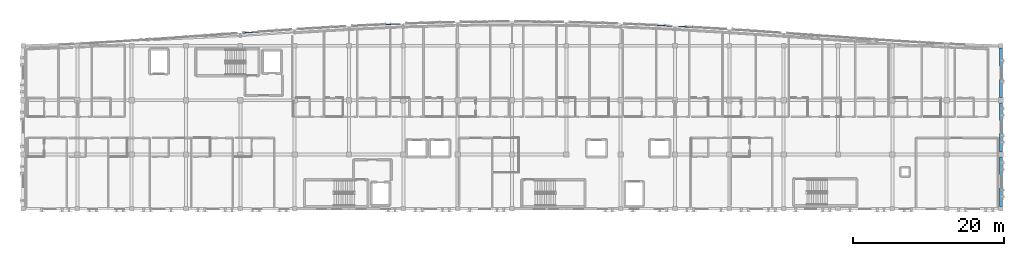
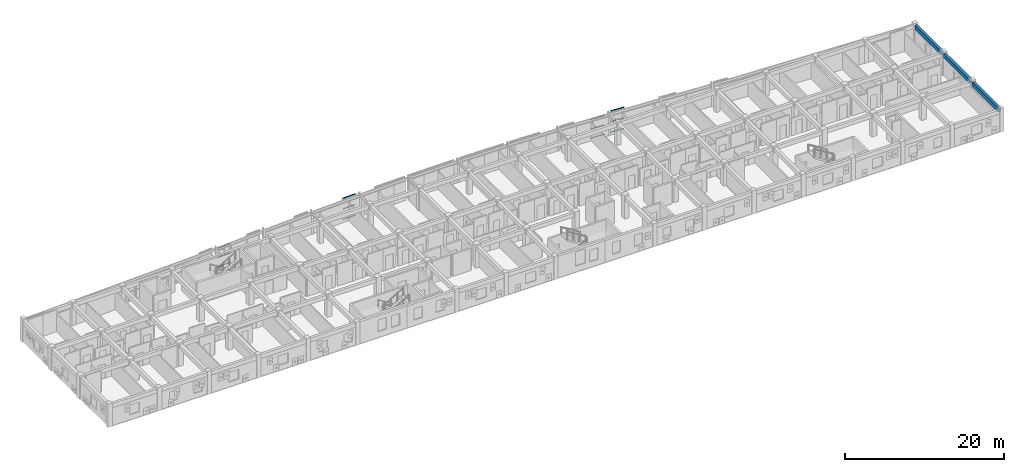
# One storey, part 30 of 48: 24 members, 3 beams, 4 elements without a shape of their own.
"""IFC4 building model written with IfcOpenShell, lengths in metres."""

from ifc_helpers import new_model, si_unit, direction, frame, origin, origin_2d, place, context, subcontext, project, spatial, rectangle, hollow_rectangle, extrude, material, layer, layer_set, material_profile, profile_set, type_object, element, aggregate, save


model = new_model("IFC4")

# Units and contexts
model_context = context("Model", 3, precision=1e-05, world=origin(), true_north=direction((0.0, 1.0)))
body_context = subcontext(model_context, "Body", "Model", "MODEL_VIEW")
ifc_project = project(units=[si_unit("LENGTHUNIT", "METRE"), si_unit("AREAUNIT", "SQUARE_METRE"), si_unit("VOLUMEUNIT", "CUBIC_METRE"), si_unit("PLANEANGLEUNIT", "RADIAN"), si_unit("MASSUNIT", "GRAM", prefix="KILO")], contexts=[model_context])

# Site, building, storey
site_placement = place(None, origin())
site = spatial("IfcSite", under=ifc_project, at=site_placement, CompositionType="ELEMENT")
building_placement = place(site_placement, origin())
building = spatial("IfcBuilding", under=site, at=building_placement, Name="Carrowvane Square Congress Hotel", CompositionType="ELEMENT")
storey_placement = place(building_placement, frame((0.0, 0.0, 26.39990234375)))
storey = spatial("IfcBuildingStorey", under=building, at=storey_placement, Name="L06", CompositionType="ELEMENT", Elevation=26.39990234375)

# Beams
ifc_material_1 = material(Name="Concrete C35/45", Category="concrete")
ifc_material_profile_1 = material_profile(ifc_material_1, rectangle(XDim=0.39990234375, YDim=0.64990234375, at=origin_2d()), Name="RC 400x650")
ifc_profile_set_1 = profile_set([ifc_material_profile_1], Name="Concrete C35/45")
beam_type = type_object("IfcBeamType", Name="BM-RC-400x650", PredefinedType="BEAM", material=ifc_profile_set_1)
beam_1_placement = place(storey_placement, frame((162.800048828125, 92.10009765625, 3.025146484375), z_axis=(0.0, 1.0, 0.0), x_axis=(-1.0, 0.0, 0.0)))
element("IfcBeam", 1, at=beam_1_placement, inside=storey, type_object=beam_type, Name="L07 girder 22/N-P", PredefinedType="BEAM", context=body_context, shape_type="SweptSolid", body=[
    extrude(rectangle(XDim=0.39990234375, YDim=0.64990234375, at=origin_2d()), origin(), (0.0, 0.0, 1.0), 6.5498046875),
])
beam_2_placement = place(storey_placement, frame((162.800048828125, 99.35009765625, 3.025146484375), z_axis=(0.0, 1.0, 0.0), x_axis=(-1.0, 0.0, 0.0)))
element("IfcBeam", 2, at=beam_2_placement, inside=storey, type_object=beam_type, Name="L07 girder 22/P-Q", PredefinedType="BEAM", context=body_context, shape_type="SweptSolid", body=[
    extrude(rectangle(XDim=0.39990234375, YDim=0.64990234375, at=origin_2d()), origin(), (0.0, 0.0, 1.0), 6.5),
])
beam_3_placement = place(storey_placement, frame((162.800048828125, 106.550048828125, 3.025146484375), z_axis=(0.0, 1.0, 0.0), x_axis=(-1.0, 0.0, 0.0)))
element("IfcBeam", 3, at=beam_3_placement, inside=storey, type_object=beam_type, Name="L07 girder 22/Q-R", PredefinedType="BEAM", context=body_context, shape_type="SweptSolid", body=[
    extrude(rectangle(XDim=0.39990234375, YDim=0.64990234375, at=origin_2d()), origin(), (0.0, 0.0, 1.0), 6.550048828125),
])

# Curtain wall, members
ifc_material_2 = material(Name="Anodised aluminium", Category="aluminium")
ifc_layer_1 = layer(ifc_material_2, 0.23388671875)
ifc_layer_set_1 = layer_set([ifc_layer_1], Name="Anodised aluminium")
curtain_wall_type_1 = type_object("IfcCurtainWallType", Name="CW-SYS-7", PredefinedType="NOTDEFINED", material=ifc_layer_set_1)
curtain_wall_1_placement = place(storey_placement, origin())
curtain_wall_1 = element("IfcCurtainWall", 4, at=curtain_wall_1_placement, inside=storey, type_object=curtain_wall_type_1, Name="L06 unitised curtain wall 390", PredefinedType="NOTDEFINED")
ifc_material_3 = material(Name="Anodised aluminium", Category="aluminium")
ifc_material_profile_2 = material_profile(ifc_material_3, hollow_rectangle(XDim=0.06005859375, YDim=0.1298828125, WallThickness=0.00390625, at=origin_2d()), Name="CW-TR 60x130x4")
ifc_profile_set_2 = profile_set([ifc_material_profile_2], Name="Anodised aluminium")
member_type_1 = type_object("IfcMemberType", Name="CW-TRN-1", PredefinedType="USERDEFINED", material=ifc_profile_set_2)
member_1_placement = place(storey_placement, frame((117.260009765625, 116.115478515625, 0.030029296875), z_axis=(0.998739195934, -0.050199785901, 0.0), x_axis=(0.050199785901, 0.998739195934, 0.0)))
member_1 = element("IfcMember", 5, at=member_1_placement, type_object=member_type_1, Name="CW-7 transom 1.1", ObjectType="TRANSOM", PredefinedType="USERDEFINED", context=body_context, shape_type="SweptSolid", body=[
    extrude(hollow_rectangle(XDim=0.06005859375, YDim=0.1298828125, WallThickness=0.00390625, at=origin_2d()), origin(), (0.0, 0.0, 1.0), 0.928955078125),
])
member_2_placement = place(storey_placement, frame((117.260009765625, 116.115478515625, 1.462890625), z_axis=(0.998739195934, -0.050199785901, 0.0), x_axis=(0.050199785901, 0.998739195934, 0.0)))
member_2 = element("IfcMember", 6, at=member_2_placement, type_object=member_type_1, Name="CW-7 transom 1.2", ObjectType="TRANSOM", PredefinedType="USERDEFINED", context=body_context, shape_type="SweptSolid", body=[
    extrude(hollow_rectangle(XDim=0.06005859375, YDim=0.1298828125, WallThickness=0.00390625, at=origin_2d()), origin(), (0.0, 0.0, 1.0), 0.928955078125),
])
member_3_placement = place(storey_placement, frame((117.260009765625, 116.115478515625, 2.895751953125), z_axis=(0.998739195934, -0.050199785901, 0.0), x_axis=(0.050199785901, 0.998739195934, 0.0)))
member_3 = element("IfcMember", 7, at=member_3_placement, type_object=member_type_1, Name="CW-7 transom 1.3", ObjectType="TRANSOM", PredefinedType="USERDEFINED", context=body_context, shape_type="SweptSolid", body=[
    extrude(hollow_rectangle(XDim=0.06005859375, YDim=0.1298828125, WallThickness=0.00390625, at=origin_2d()), origin(), (0.0, 0.0, 1.0), 0.928955078125),
])
member_4_placement = place(storey_placement, frame((118.24755859375, 116.065673828125, 0.030029296875), z_axis=(0.998739858, -0.050186612175, 0.0), x_axis=(0.050186612175, 0.998739858, 0.0)))
member_4 = element("IfcMember", 8, at=member_4_placement, type_object=member_type_1, Name="CW-7 transom 2.1", ObjectType="TRANSOM", PredefinedType="USERDEFINED", context=body_context, shape_type="SweptSolid", body=[
    extrude(hollow_rectangle(XDim=0.06005859375, YDim=0.1298828125, WallThickness=0.00390625, at=origin_2d()), origin(), (0.0, 0.0, 1.0), 0.92919921875),
])
member_5_placement = place(storey_placement, frame((118.24755859375, 116.065673828125, 1.462890625), z_axis=(0.998739858, -0.050186612175, 0.0), x_axis=(0.050186612175, 0.998739858, 0.0)))
member_5 = element("IfcMember", 9, at=member_5_placement, type_object=member_type_1, Name="CW-7 transom 2.2", ObjectType="TRANSOM", PredefinedType="USERDEFINED", context=body_context, shape_type="SweptSolid", body=[
    extrude(hollow_rectangle(XDim=0.06005859375, YDim=0.1298828125, WallThickness=0.00390625, at=origin_2d()), origin(), (0.0, 0.0, 1.0), 0.92919921875),
])
member_6_placement = place(storey_placement, frame((118.24755859375, 116.065673828125, 2.895751953125), z_axis=(0.998739858, -0.050186612175, 0.0), x_axis=(0.050186612175, 0.998739858, 0.0)))
member_6 = element("IfcMember", 10, at=member_6_placement, type_object=member_type_1, Name="CW-7 transom 2.3", ObjectType="TRANSOM", PredefinedType="USERDEFINED", context=body_context, shape_type="SweptSolid", body=[
    extrude(hollow_rectangle(XDim=0.06005859375, YDim=0.1298828125, WallThickness=0.00390625, at=origin_2d()), origin(), (0.0, 0.0, 1.0), 0.92919921875),
])
aggregate(curtain_wall_1, [member_1, member_2, member_3, member_4, member_5, member_6])

ifc_material_4 = material(Name="Anodised aluminium", Category="aluminium")
ifc_layer_2 = layer(ifc_material_4, 0.24609375)
ifc_layer_set_2 = layer_set([ifc_layer_2], Name="Anodised aluminium")
curtain_wall_type_2 = type_object("IfcCurtainWallType", Name="CW-SYS-8", PredefinedType="NOTDEFINED", material=ifc_layer_set_2)
curtain_wall_2_placement = place(storey_placement, origin())
curtain_wall_2 = element("IfcCurtainWall", 11, at=curtain_wall_2_placement, inside=storey, type_object=curtain_wall_type_2, Name="L06 unitised curtain wall 367", PredefinedType="NOTDEFINED")
ifc_material_5 = material(Name="Anodised aluminium", Category="aluminium")
ifc_material_profile_3 = material_profile(ifc_material_5, hollow_rectangle(XDim=0.070068359375, YDim=0.14990234375, WallThickness=0.0048828125, at=origin_2d()), Name="CW-TR 70x150x5")
ifc_profile_set_3 = profile_set([ifc_material_profile_3], Name="Anodised aluminium")
member_type_2 = type_object("IfcMemberType", Name="CW-TRN-2", PredefinedType="USERDEFINED", material=ifc_profile_set_3)
member_7_placement = place(storey_placement, frame((62.427001953125, 115.11572265625, 0.03515625), z_axis=(0.997556190517, 0.069868782452, 0.0), x_axis=(-0.069868782452, 0.997556190517, 0.0)))
member_7 = element("IfcMember", 12, at=member_7_placement, type_object=member_type_2, Name="CW-8 transom 1.1", ObjectType="TRANSOM", PredefinedType="USERDEFINED", context=body_context, shape_type="SweptSolid", body=[
    extrude(hollow_rectangle(XDim=0.070068359375, YDim=0.14990234375, WallThickness=0.0048828125, at=origin_2d()), origin(), (0.0, 0.0, 1.0), 0.9189453125),
])
member_8_placement = place(storey_placement, frame((62.427001953125, 115.11572265625, 1.462890625), z_axis=(0.997556190517, 0.069868782452, 0.0), x_axis=(-0.069868782452, 0.997556190517, 0.0)))
member_8 = element("IfcMember", 13, at=member_8_placement, type_object=member_type_2, Name="CW-8 transom 1.2", ObjectType="TRANSOM", PredefinedType="USERDEFINED", context=body_context, shape_type="SweptSolid", body=[
    extrude(hollow_rectangle(XDim=0.070068359375, YDim=0.14990234375, WallThickness=0.0048828125, at=origin_2d()), origin(), (0.0, 0.0, 1.0), 0.9189453125),
])
member_9_placement = place(storey_placement, frame((62.427001953125, 115.11572265625, 2.890625), z_axis=(0.997556190517, 0.069868782452, 0.0), x_axis=(-0.069868782452, 0.997556190517, 0.0)))
member_9 = element("IfcMember", 14, at=member_9_placement, type_object=member_type_2, Name="CW-8 transom 1.3", ObjectType="TRANSOM", PredefinedType="USERDEFINED", context=body_context, shape_type="SweptSolid", body=[
    extrude(hollow_rectangle(XDim=0.070068359375, YDim=0.14990234375, WallThickness=0.0048828125, at=origin_2d()), origin(), (0.0, 0.0, 1.0), 0.9189453125),
])
member_10_placement = place(storey_placement, frame((63.41357421875, 115.184814453125, 0.03515625), z_axis=(0.997574671863, 0.069604411193, 0.0), x_axis=(-0.069604411193, 0.997574671863, 0.0)))
member_10 = element("IfcMember", 15, at=member_10_placement, type_object=member_type_2, Name="CW-8 transom 2.1", ObjectType="TRANSOM", PredefinedType="USERDEFINED", context=body_context, shape_type="SweptSolid", body=[
    extrude(hollow_rectangle(XDim=0.070068359375, YDim=0.14990234375, WallThickness=0.0048828125, at=origin_2d()), origin(), (0.0, 0.0, 1.0), 0.9189453125),
])
member_11_placement = place(storey_placement, frame((63.41357421875, 115.184814453125, 1.462890625), z_axis=(0.997574671863, 0.069604411193, 0.0), x_axis=(-0.069604411193, 0.997574671863, 0.0)))
member_11 = element("IfcMember", 16, at=member_11_placement, type_object=member_type_2, Name="CW-8 transom 2.2", ObjectType="TRANSOM", PredefinedType="USERDEFINED", context=body_context, shape_type="SweptSolid", body=[
    extrude(hollow_rectangle(XDim=0.070068359375, YDim=0.14990234375, WallThickness=0.0048828125, at=origin_2d()), origin(), (0.0, 0.0, 1.0), 0.9189453125),
])
member_12_placement = place(storey_placement, frame((63.41357421875, 115.184814453125, 2.890625), z_axis=(0.997574671863, 0.069604411193, 0.0), x_axis=(-0.069604411193, 0.997574671863, 0.0)))
member_12 = element("IfcMember", 17, at=member_12_placement, type_object=member_type_2, Name="CW-8 transom 2.3", ObjectType="TRANSOM", PredefinedType="USERDEFINED", context=body_context, shape_type="SweptSolid", body=[
    extrude(hollow_rectangle(XDim=0.070068359375, YDim=0.14990234375, WallThickness=0.0048828125, at=origin_2d()), origin(), (0.0, 0.0, 1.0), 0.9189453125),
])
aggregate(curtain_wall_2, [member_7, member_8, member_9, member_10, member_11, member_12])

curtain_wall_3_placement = place(storey_placement, origin())
curtain_wall_3 = element("IfcCurtainWall", 18, at=curtain_wall_3_placement, inside=storey, type_object=curtain_wall_type_2, Name="L06 unitised curtain wall 375", PredefinedType="NOTDEFINED")
member_13_placement = place(storey_placement, frame((81.27001953125, 116.23046875, 0.03515625), z_axis=(0.999197909708, 0.040044191038, 0.0), x_axis=(-0.040044191038, 0.999197909708, 0.0)))
member_13 = element("IfcMember", 19, at=member_13_placement, type_object=member_type_2, Name="CW-8 transom 1.1", ObjectType="TRANSOM", PredefinedType="USERDEFINED", context=body_context, shape_type="SweptSolid", body=[
    extrude(hollow_rectangle(XDim=0.070068359375, YDim=0.14990234375, WallThickness=0.0048828125, at=origin_2d()), origin(), (0.0, 0.0, 1.0), 0.896240234375),
])
member_14_placement = place(storey_placement, frame((81.27001953125, 116.23046875, 1.675048828125), z_axis=(0.999197909708, 0.040044191038, 0.0), x_axis=(-0.040044191038, 0.999197909708, 0.0)))
member_14 = element("IfcMember", 20, at=member_14_placement, type_object=member_type_2, Name="CW-8 transom 1.2", ObjectType="TRANSOM", PredefinedType="USERDEFINED", context=body_context, shape_type="SweptSolid", body=[
    extrude(hollow_rectangle(XDim=0.070068359375, YDim=0.14990234375, WallThickness=0.0048828125, at=origin_2d()), origin(), (0.0, 0.0, 1.0), 0.896240234375),
])
member_15_placement = place(storey_placement, frame((81.27001953125, 116.23046875, 3.315185546875), z_axis=(0.999197909708, 0.040044191038, 0.0), x_axis=(-0.040044191038, 0.999197909708, 0.0)))
member_15 = element("IfcMember", 21, at=member_15_placement, type_object=member_type_2, Name="CW-8 transom 1.3", ObjectType="TRANSOM", PredefinedType="USERDEFINED", context=body_context, shape_type="SweptSolid", body=[
    extrude(hollow_rectangle(XDim=0.070068359375, YDim=0.14990234375, WallThickness=0.0048828125, at=origin_2d()), origin(), (0.0, 0.0, 1.0), 0.896240234375),
])
member_16_placement = place(storey_placement, frame((82.235595703125, 116.269287109375, 0.03515625), z_axis=(0.999197909708, 0.040044191038, 0.0), x_axis=(-0.040044191038, 0.999197909708, 0.0)))
member_16 = element("IfcMember", 22, at=member_16_placement, type_object=member_type_2, Name="CW-8 transom 2.1", ObjectType="TRANSOM", PredefinedType="USERDEFINED", context=body_context, shape_type="SweptSolid", body=[
    extrude(hollow_rectangle(XDim=0.070068359375, YDim=0.14990234375, WallThickness=0.0048828125, at=origin_2d()), origin(), (0.0, 0.0, 1.0), 0.896240234375),
])
member_17_placement = place(storey_placement, frame((82.235595703125, 116.269287109375, 1.675048828125), z_axis=(0.999197909708, 0.040044191038, 0.0), x_axis=(-0.040044191038, 0.999197909708, 0.0)))
member_17 = element("IfcMember", 23, at=member_17_placement, type_object=member_type_2, Name="CW-8 transom 2.2", ObjectType="TRANSOM", PredefinedType="USERDEFINED", context=body_context, shape_type="SweptSolid", body=[
    extrude(hollow_rectangle(XDim=0.070068359375, YDim=0.14990234375, WallThickness=0.0048828125, at=origin_2d()), origin(), (0.0, 0.0, 1.0), 0.896240234375),
])
member_18_placement = place(storey_placement, frame((82.235595703125, 116.269287109375, 3.315185546875), z_axis=(0.999197909708, 0.040044191038, 0.0), x_axis=(-0.040044191038, 0.999197909708, 0.0)))
member_18 = element("IfcMember", 24, at=member_18_placement, type_object=member_type_2, Name="CW-8 transom 2.3", ObjectType="TRANSOM", PredefinedType="USERDEFINED", context=body_context, shape_type="SweptSolid", body=[
    extrude(hollow_rectangle(XDim=0.070068359375, YDim=0.14990234375, WallThickness=0.0048828125, at=origin_2d()), origin(), (0.0, 0.0, 1.0), 0.896240234375),
])
aggregate(curtain_wall_3, [member_13, member_14, member_15, member_16, member_17, member_18])

curtain_wall_4_placement = place(storey_placement, origin())
curtain_wall_4 = element("IfcCurtainWall", 25, at=curtain_wall_4_placement, inside=storey, type_object=curtain_wall_type_2, Name="L06 unitised curtain wall 391", PredefinedType="NOTDEFINED")
member_19_placement = place(storey_placement, frame((120.074462890625, 115.971435546875, 0.03515625), z_axis=(0.998507868183, -0.054608032167, 0.0), x_axis=(0.054608032167, 0.998507868183, 0.0)))
member_19 = element("IfcMember", 26, at=member_19_placement, type_object=member_type_2, Name="CW-8 transom 1.1", ObjectType="TRANSOM", PredefinedType="USERDEFINED", context=body_context, shape_type="SweptSolid", body=[
    extrude(hollow_rectangle(XDim=0.070068359375, YDim=0.14990234375, WallThickness=0.0048828125, at=origin_2d()), origin(), (0.0, 0.0, 1.0), 0.89404296875),
])
member_20_placement = place(storey_placement, frame((120.074462890625, 115.971435546875, 1.675048828125), z_axis=(0.998507868183, -0.054608032167, 0.0), x_axis=(0.054608032167, 0.998507868183, 0.0)))
member_20 = element("IfcMember", 27, at=member_20_placement, type_object=member_type_2, Name="CW-8 transom 1.2", ObjectType="TRANSOM", PredefinedType="USERDEFINED", context=body_context, shape_type="SweptSolid", body=[
    extrude(hollow_rectangle(XDim=0.070068359375, YDim=0.14990234375, WallThickness=0.0048828125, at=origin_2d()), origin(), (0.0, 0.0, 1.0), 0.89404296875),
])
member_21_placement = place(storey_placement, frame((120.074462890625, 115.971435546875, 3.315185546875), z_axis=(0.998507868183, -0.054608032167, 0.0), x_axis=(0.054608032167, 0.998507868183, 0.0)))
member_21 = element("IfcMember", 28, at=member_21_placement, type_object=member_type_2, Name="CW-8 transom 1.3", ObjectType="TRANSOM", PredefinedType="USERDEFINED", context=body_context, shape_type="SweptSolid", body=[
    extrude(hollow_rectangle(XDim=0.070068359375, YDim=0.14990234375, WallThickness=0.0048828125, at=origin_2d()), origin(), (0.0, 0.0, 1.0), 0.89404296875),
])
member_22_placement = place(storey_placement, frame((121.037109375, 115.918701171875, 0.03515625), z_axis=(0.998493765365, -0.054865294379, 0.0), x_axis=(0.054865294379, 0.998493765365, 0.0)))
member_22 = element("IfcMember", 29, at=member_22_placement, type_object=member_type_2, Name="CW-8 transom 2.1", ObjectType="TRANSOM", PredefinedType="USERDEFINED", context=body_context, shape_type="SweptSolid", body=[
    extrude(hollow_rectangle(XDim=0.070068359375, YDim=0.14990234375, WallThickness=0.0048828125, at=origin_2d()), origin(), (0.0, 0.0, 1.0), 0.89453125),
])
member_23_placement = place(storey_placement, frame((121.037109375, 115.918701171875, 1.675048828125), z_axis=(0.998493765365, -0.054865294379, 0.0), x_axis=(0.054865294379, 0.998493765365, 0.0)))
member_23 = element("IfcMember", 30, at=member_23_placement, type_object=member_type_2, Name="CW-8 transom 2.2", ObjectType="TRANSOM", PredefinedType="USERDEFINED", context=body_context, shape_type="SweptSolid", body=[
    extrude(hollow_rectangle(XDim=0.070068359375, YDim=0.14990234375, WallThickness=0.0048828125, at=origin_2d()), origin(), (0.0, 0.0, 1.0), 0.89453125),
])
member_24_placement = place(storey_placement, frame((121.037109375, 115.918701171875, 3.315185546875), z_axis=(0.998493765365, -0.054865294379, 0.0), x_axis=(0.054865294379, 0.998493765365, 0.0)))
member_24 = element("IfcMember", 31, at=member_24_placement, type_object=member_type_2, Name="CW-8 transom 2.3", ObjectType="TRANSOM", PredefinedType="USERDEFINED", context=body_context, shape_type="SweptSolid", body=[
    extrude(hollow_rectangle(XDim=0.070068359375, YDim=0.14990234375, WallThickness=0.0048828125, at=origin_2d()), origin(), (0.0, 0.0, 1.0), 0.89453125),
])
aggregate(curtain_wall_4, [member_19, member_20, member_21, member_22, member_23, member_24])

save(model, "model.ifc")
